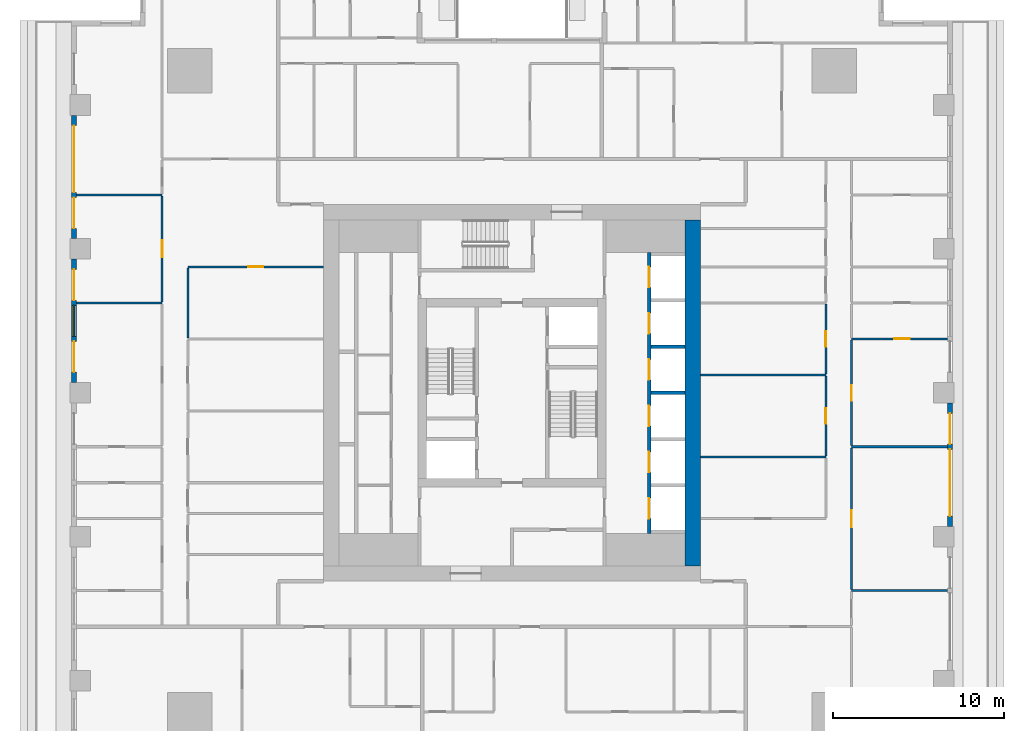
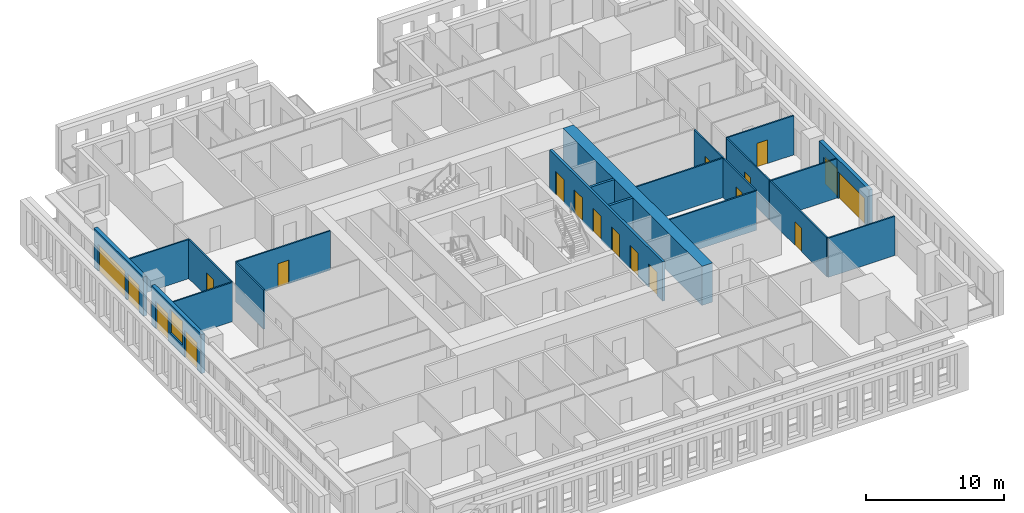
# One storey, part 6 of 16: 21 walls, 19 doors, 1 window, 20 openings.
"""IFC4 building model written with IfcOpenShell, lengths in metres."""

from ifc_helpers import new_model, si_unit, direction, frame, frame_2d, origin, place, context, subcontext, project, spatial, rectangle, extrude, material, layer, layer_set, type_object, element, fill, save


model = new_model("IFC4")

# Units and contexts
model_context = context("Model", 3, precision=1e-05, world=origin(), true_north=direction((0.0, 1.0)))
body_context = subcontext(model_context, "Body", "Model", "MODEL_VIEW")
ifc_project = project(units=[si_unit("LENGTHUNIT", "METRE"), si_unit("AREAUNIT", "SQUARE_METRE"), si_unit("VOLUMEUNIT", "CUBIC_METRE"), si_unit("PLANEANGLEUNIT", "RADIAN"), si_unit("MASSUNIT", "GRAM", prefix="KILO")], contexts=[model_context])

# Site, building, storey
site_placement = place(None, origin())
site = spatial("IfcSite", under=ifc_project, at=site_placement, CompositionType="ELEMENT")
building_placement = place(site_placement, origin())
building = spatial("IfcBuilding", under=site, at=building_placement, Name="Khepri Terraces", CompositionType="ELEMENT")
storey_placement = place(building_placement, frame((0.0, 0.0, 141.60009765625)))
storey = spatial("IfcBuildingStorey", under=building, at=storey_placement, Name="L33", CompositionType="ELEMENT", Elevation=141.60009765625)

# Wall, openings, doors
ifc_material_1 = material(Name="Concrete C60/75", Category="concrete")
ifc_layer_1 = layer(ifc_material_1, 0.199951171875, Name="Concrete C60/75", Category="concrete")
ifc_layer_set_1 = layer_set([ifc_layer_1], Name="Concrete C60/75")
wall_type_1 = type_object("IfcWallType", Name="Core wall 200 C60/75", PredefinedType="SHEAR", material=ifc_layer_set_1)
wall_1_placement = place(storey_placement, frame((8.0, -8.199951171875, 0.0), z_axis=(0.0, 0.0, 1.0), x_axis=(0.0, 1.0, 0.0)))
wall_1 = element("IfcWall", 1, at=wall_1_placement, inside=storey, type_object=wall_type_1, Name="Core wall SH02 L33", PredefinedType="SHEAR", context=body_context, shape_type="SweptSolid", body=[
    extrude(rectangle(XDim=16.39990234375, YDim=0.199951171875, at=frame_2d((8.199951171875, 0.0))), origin(), (0.0, 0.0, 1.0), 3.47998046875),
])
opening_1_placement = place(wall_1_placement, frame((0.85009765625, 0.0, 0.0)))
opening_1 = element("IfcOpeningElement", 2, at=opening_1_placement, cuts=wall_1, Name="Opening L33-C01", PredefinedType="OPENING", context=body_context, shape_type="SweptSolid", body=[
    extrude(rectangle(XDim=1.199951171875, YDim=2.10009765625, at=frame_2d((0.60009765625, 1.050048828125))), frame((0.0, 0.10986328125, 0.0), z_axis=(0.0, -1.0, 0.0), x_axis=(1.0, 0.0, 0.0)), (0.0, 0.0, 1.0), 0.219970703125),
])
opening_2_placement = place(wall_1_placement, frame((3.550048828125, 0.0, 0.0)))
opening_2 = element("IfcOpeningElement", 3, at=opening_2_placement, cuts=wall_1, Name="Opening L33-C02", PredefinedType="OPENING", context=body_context, shape_type="SweptSolid", body=[
    extrude(rectangle(XDim=1.199951171875, YDim=2.10009765625, at=frame_2d((0.60009765625, 1.050048828125))), frame((0.0, 0.10986328125, 0.0), z_axis=(0.0, -1.0, 0.0), x_axis=(1.0, 0.0, 0.0)), (0.0, 0.0, 1.0), 0.219970703125),
])
opening_3_placement = place(wall_1_placement, frame((6.25, 0.0, 0.0)))
opening_3 = element("IfcOpeningElement", 4, at=opening_3_placement, cuts=wall_1, Name="Opening L33-C03", PredefinedType="OPENING", context=body_context, shape_type="SweptSolid", body=[
    extrude(rectangle(XDim=1.199951171875, YDim=2.10009765625, at=frame_2d((0.60009765625, 1.050048828125))), frame((0.0, 0.10986328125, 0.0), z_axis=(0.0, -1.0, 0.0), x_axis=(1.0, 0.0, 0.0)), (0.0, 0.0, 1.0), 0.219970703125),
])
opening_4_placement = place(wall_1_placement, frame((8.949951171875, 0.0, 0.0)))
opening_4 = element("IfcOpeningElement", 5, at=opening_4_placement, cuts=wall_1, Name="Opening L33-C04", PredefinedType="OPENING", context=body_context, shape_type="SweptSolid", body=[
    extrude(rectangle(XDim=1.199951171875, YDim=2.10009765625, at=frame_2d((0.60009765625, 1.050048828125))), frame((0.0, 0.10986328125, 0.0), z_axis=(0.0, -1.0, 0.0), x_axis=(1.0, 0.0, 0.0)), (0.0, 0.0, 1.0), 0.219970703125),
])
opening_5_placement = place(wall_1_placement, frame((11.64990234375, 0.0, 0.0)))
opening_5 = element("IfcOpeningElement", 6, at=opening_5_placement, cuts=wall_1, Name="Opening L33-C05", PredefinedType="OPENING", context=body_context, shape_type="SweptSolid", body=[
    extrude(rectangle(XDim=1.199951171875, YDim=2.10009765625, at=frame_2d((0.60009765625, 1.050048828125))), frame((0.0, 0.10986328125, 0.0), z_axis=(0.0, -1.0, 0.0), x_axis=(1.0, 0.0, 0.0)), (0.0, 0.0, 1.0), 0.219970703125),
])
opening_6_placement = place(wall_1_placement, frame((14.35009765625, 0.0, 0.0)))
opening_6 = element("IfcOpeningElement", 7, at=opening_6_placement, cuts=wall_1, Name="Opening L33-C06", PredefinedType="OPENING", context=body_context, shape_type="SweptSolid", body=[
    extrude(rectangle(XDim=1.199951171875, YDim=2.10009765625, at=frame_2d((0.60009765625, 1.050048828125))), frame((0.0, 0.10986328125, 0.0), z_axis=(0.0, -1.0, 0.0), x_axis=(1.0, 0.0, 0.0)), (0.0, 0.0, 1.0), 0.219970703125),
])
ifc_material_2 = material(Name="Stainless steel 304", Category="steel")
door_type_1 = type_object("IfcDoorType", Name="DR-CORE-LANDING-1200", OperationType="NOTDEFINED", PredefinedType="DOOR", material=ifc_material_2)
door_1_placement = place(opening_1_placement, origin())
door_1 = element("IfcDoor", 8, at=door_1_placement, inside=storey, type_object=door_type_1, Name="Lift landing door L33-C01", OperationType="SLIDING_TO_LEFT", OverallHeight=2.10009765625, OverallWidth=1.199951171875, PredefinedType="DOOR", context=body_context, shape_type="SweptSolid", body=[
    extrude(rectangle(XDim=1.199951171875, YDim=2.10009765625, at=frame_2d((0.60009765625, 1.050048828125))), frame((0.0, 0.02490234375, 0.0), z_axis=(0.0, -1.0, 0.0), x_axis=(1.0, 0.0, 0.0)), (0.0, 0.0, 1.0), 0.050048828125),
])
fill(opening_1, door_1)
door_2_placement = place(opening_2_placement, origin())
door_2 = element("IfcDoor", 9, at=door_2_placement, inside=storey, type_object=door_type_1, Name="Lift landing door L33-C02", OperationType="SLIDING_TO_LEFT", OverallHeight=2.10009765625, OverallWidth=1.199951171875, PredefinedType="DOOR", context=body_context, shape_type="SweptSolid", body=[
    extrude(rectangle(XDim=1.199951171875, YDim=2.10009765625, at=frame_2d((0.60009765625, 1.050048828125))), frame((0.0, 0.02490234375, 0.0), z_axis=(0.0, -1.0, 0.0), x_axis=(1.0, 0.0, 0.0)), (0.0, 0.0, 1.0), 0.050048828125),
])
fill(opening_2, door_2)
door_3_placement = place(opening_3_placement, origin())
door_3 = element("IfcDoor", 10, at=door_3_placement, inside=storey, type_object=door_type_1, Name="Lift landing door L33-C03", OperationType="SLIDING_TO_LEFT", OverallHeight=2.10009765625, OverallWidth=1.199951171875, PredefinedType="DOOR", context=body_context, shape_type="SweptSolid", body=[
    extrude(rectangle(XDim=1.199951171875, YDim=2.10009765625, at=frame_2d((0.60009765625, 1.050048828125))), frame((0.0, 0.02490234375, 0.0), z_axis=(0.0, -1.0, 0.0), x_axis=(1.0, 0.0, 0.0)), (0.0, 0.0, 1.0), 0.050048828125),
])
fill(opening_3, door_3)
door_4_placement = place(opening_4_placement, origin())
door_4 = element("IfcDoor", 11, at=door_4_placement, inside=storey, type_object=door_type_1, Name="Lift landing door L33-C04", OperationType="SLIDING_TO_LEFT", OverallHeight=2.10009765625, OverallWidth=1.199951171875, PredefinedType="DOOR", context=body_context, shape_type="SweptSolid", body=[
    extrude(rectangle(XDim=1.199951171875, YDim=2.10009765625, at=frame_2d((0.60009765625, 1.050048828125))), frame((0.0, 0.02490234375, 0.0), z_axis=(0.0, -1.0, 0.0), x_axis=(1.0, 0.0, 0.0)), (0.0, 0.0, 1.0), 0.050048828125),
])
fill(opening_4, door_4)
door_5_placement = place(opening_5_placement, origin())
door_5 = element("IfcDoor", 12, at=door_5_placement, inside=storey, type_object=door_type_1, Name="Lift landing door L33-C05", OperationType="SLIDING_TO_LEFT", OverallHeight=2.10009765625, OverallWidth=1.199951171875, PredefinedType="DOOR", context=body_context, shape_type="SweptSolid", body=[
    extrude(rectangle(XDim=1.199951171875, YDim=2.10009765625, at=frame_2d((0.60009765625, 1.050048828125))), frame((0.0, 0.02490234375, 0.0), z_axis=(0.0, -1.0, 0.0), x_axis=(1.0, 0.0, 0.0)), (0.0, 0.0, 1.0), 0.050048828125),
])
fill(opening_5, door_5)
door_6_placement = place(opening_6_placement, origin())
door_6 = element("IfcDoor", 13, at=door_6_placement, inside=storey, type_object=door_type_1, Name="Lift landing door L33-C06", OperationType="SLIDING_TO_LEFT", OverallHeight=2.10009765625, OverallWidth=1.199951171875, PredefinedType="DOOR", context=body_context, shape_type="SweptSolid", body=[
    extrude(rectangle(XDim=1.199951171875, YDim=2.10009765625, at=frame_2d((0.60009765625, 1.050048828125))), frame((0.0, 0.02490234375, 0.0), z_axis=(0.0, -1.0, 0.0), x_axis=(1.0, 0.0, 0.0)), (0.0, 0.0, 1.0), 0.050048828125),
])
fill(opening_6, door_6)

# Walls
for number, where, z_axis, x_axis, name in (
    (14, (8.10009765625, 0.0, 0.0), (0.0, 0.0, 1.0), (1.0, 0.0, 0.0), "Core wall SH09 L33"),
    (15, (8.10009765625, 2.699951171875, 0.0), (0.0, 0.0, 1.0), (1.0, 0.0, 0.0), "Core wall SH13 L33"),
):
    element("IfcWall", number, at=place(storey_placement, frame(where, z_axis=z_axis, x_axis=x_axis)), inside=storey, type_object=wall_type_1, Name=name, PredefinedType="SHEAR", context=body_context, shape_type="SweptSolid", body=[
        extrude(rectangle(XDim=2.0, YDim=0.199951171875, at=frame_2d((1.0, 0.0))), origin(), (0.0, 0.0, 1.0), 3.47998046875),
    ])
ifc_layer_2 = layer(ifc_material_1, 0.89990234375, Name="Concrete C60/75", Category="concrete")
ifc_layer_set_2 = layer_set([ifc_layer_2], Name="Concrete C60/75")
wall_type_2 = type_object("IfcWallType", Name="Core wall 900 C60/75", PredefinedType="SHEAR", material=ifc_layer_set_2)
wall_2_placement = place(storey_placement, frame((10.550048828125, -10.10009765625, 0.0), z_axis=(0.0, 0.0, 1.0), x_axis=(0.0, 1.0, 0.0)))
element("IfcWall", 16, at=wall_2_placement, inside=storey, type_object=wall_type_2, Name="Core wall OW-E L33", PredefinedType="SHEAR", context=body_context, shape_type="SweptSolid", body=[
    extrude(rectangle(XDim=20.2001953125, YDim=0.89990234375, at=frame_2d((10.10009765625, 0.0))), origin(), (0.0, 0.0, 1.0), 3.47998046875),
])

# Wall, openings, doors
ifc_material_3 = material(Name="Precast concrete C50/60 warm stone", Category="masonry")
ifc_layer_3 = layer(ifc_material_3, 0.300048828125, Name="Precast concrete C50/60 warm stone", Category="masonry")
ifc_layer_set_3 = layer_set([ifc_layer_3], Name="Precast concrete C50/60 warm stone")
wall_type_3 = type_object("IfcWallType", Name="WL-EXT-PRECAST-300", PredefinedType="STANDARD", material=ifc_layer_set_3)
wall_3_placement = place(storey_placement, frame((25.570068359375, -7.800048828125, 0.0), z_axis=(0.0, 0.0, 1.0), x_axis=(0.0, 1.0, 0.0)))
wall_3 = element("IfcWall", 17, at=wall_3_placement, inside=storey, type_object=wall_type_3, Name="External wall L33 E", PredefinedType="STANDARD", context=body_context, shape_type="SweptSolid", body=[
    extrude(rectangle(XDim=7.199951171875, YDim=0.300048828125, at=frame_2d((3.60009765625, 0.0))), origin(), (0.0, 0.0, 1.0), 3.47998046875),
])
opening_7_placement = place(wall_3_placement, frame((0.60009765625, 0.0, 0.0)))
opening_7 = element("IfcOpeningElement", 18, at=opening_7_placement, cuts=wall_3, Name="Opening ED-L33-04", PredefinedType="OPENING", context=body_context, shape_type="SweptSolid", body=[
    extrude(rectangle(XDim=3.89990234375, YDim=2.39990234375, at=frame_2d((1.949951171875, 1.199951171875))), frame((0.0, 0.16015625, 0.0), z_axis=(0.0, -1.0, 0.0), x_axis=(1.0, 0.0, 0.0)), (0.0, 0.0, 1.0), 0.320068359375),
])
opening_8_placement = place(wall_3_placement, frame((4.800048828125, 0.0, 0.0)))
opening_8 = element("IfcOpeningElement", 19, at=opening_8_placement, cuts=wall_3, Name="Opening ED-L33-05", PredefinedType="OPENING", context=body_context, shape_type="SweptSolid", body=[
    extrude(rectangle(XDim=1.800048828125, YDim=2.39990234375, at=frame_2d((0.89990234375, 1.199951171875))), frame((0.0, 0.16015625, 0.0), z_axis=(0.0, -1.0, 0.0), x_axis=(1.0, 0.0, 0.0)), (0.0, 0.0, 1.0), 0.320068359375),
])
ifc_material_4 = material(Name="Anodised aluminium bronze glazed door", Category="aluminium")
door_type_2 = type_object("IfcDoorType", Name="DR-BAL-SLIDE-1800x2400", OperationType="NOTDEFINED", PredefinedType="DOOR", material=ifc_material_4)
door_7_placement = place(opening_8_placement, origin())
door_7 = element("IfcDoor", 20, at=door_7_placement, inside=storey, type_object=door_type_2, Name="Balcony door L33 E", OperationType="SLIDING_TO_RIGHT", OverallHeight=2.39990234375, OverallWidth=1.800048828125, PredefinedType="DOOR", context=body_context, shape_type="SweptSolid", body=[
    extrude(rectangle(XDim=1.800048828125, YDim=2.39990234375, at=frame_2d((0.89990234375, 1.199951171875))), frame((0.0, 0.02490234375, 0.0), z_axis=(0.0, -1.0, 0.0), x_axis=(1.0, 0.0, 0.0)), (0.0, 0.0, 1.0), 0.050048828125),
])
fill(opening_8, door_7)
door_type_3 = type_object("IfcDoorType", Name="DR-BAL-SLIDE-3900x2400", OperationType="NOTDEFINED", PredefinedType="DOOR", material=ifc_material_4)
door_8_placement = place(opening_7_placement, origin())
door_8 = element("IfcDoor", 21, at=door_8_placement, inside=storey, type_object=door_type_3, Name="Balcony door L33 E", OperationType="SLIDING_TO_LEFT", OverallHeight=2.39990234375, OverallWidth=3.89990234375, PredefinedType="DOOR", context=body_context, shape_type="SweptSolid", body=[
    extrude(rectangle(XDim=3.89990234375, YDim=2.39990234375, at=frame_2d((1.949951171875, 1.199951171875))), frame((0.0, 0.02490234375, 0.0), z_axis=(0.0, -1.0, 0.0), x_axis=(1.0, 0.0, 0.0)), (0.0, 0.0, 1.0), 0.050048828125),
])
fill(opening_7, door_8)

wall_4_placement = place(storey_placement, frame((-25.570068359375, 16.199951171875, 0.0), z_axis=(0.0, 0.0, 1.0), x_axis=(0.0, -1.0, 0.0)))
wall_4 = element("IfcWall", 22, at=wall_4_placement, inside=storey, type_object=wall_type_3, Name="External wall L33 W", PredefinedType="STANDARD", context=body_context, shape_type="SweptSolid", body=[
    extrude(rectangle(XDim=7.199951171875, YDim=0.300048828125, at=frame_2d((3.60009765625, 0.0))), origin(), (0.0, 0.0, 1.0), 3.47998046875),
])
opening_9_placement = place(wall_4_placement, frame((0.60009765625, 0.0, 0.0)))
opening_9 = element("IfcOpeningElement", 23, at=opening_9_placement, cuts=wall_4, Name="Opening ED-L33-14", PredefinedType="OPENING", context=body_context, shape_type="SweptSolid", body=[
    extrude(rectangle(XDim=3.89990234375, YDim=2.39990234375, at=frame_2d((1.949951171875, 1.199951171875))), frame((0.0, 0.16015625, 0.0), z_axis=(0.0, -1.0, 0.0), x_axis=(1.0, 0.0, 0.0)), (0.0, 0.0, 1.0), 0.320068359375),
])
opening_10_placement = place(wall_4_placement, frame((4.800048828125, 0.0, 0.0)))
opening_10 = element("IfcOpeningElement", 24, at=opening_10_placement, cuts=wall_4, Name="Opening ED-L33-15", PredefinedType="OPENING", context=body_context, shape_type="SweptSolid", body=[
    extrude(rectangle(XDim=1.800048828125, YDim=2.39990234375, at=frame_2d((0.89990234375, 1.199951171875))), frame((0.0, 0.16015625, 0.0), z_axis=(0.0, -1.0, 0.0), x_axis=(1.0, 0.0, 0.0)), (0.0, 0.0, 1.0), 0.320068359375),
])
door_9_placement = place(opening_10_placement, origin())
door_9 = element("IfcDoor", 25, at=door_9_placement, inside=storey, type_object=door_type_2, Name="Balcony door L33 W", OperationType="SLIDING_TO_RIGHT", OverallHeight=2.39990234375, OverallWidth=1.800048828125, PredefinedType="DOOR", context=body_context, shape_type="SweptSolid", body=[
    extrude(rectangle(XDim=1.800048828125, YDim=2.39990234375, at=frame_2d((0.89990234375, 1.199951171875))), frame((0.0, 0.02490234375, 0.0), z_axis=(0.0, -1.0, 0.0), x_axis=(1.0, 0.0, 0.0)), (0.0, 0.0, 1.0), 0.050048828125),
])
fill(opening_10, door_9)
door_10_placement = place(opening_9_placement, origin())
door_10 = element("IfcDoor", 26, at=door_10_placement, inside=storey, type_object=door_type_3, Name="Balcony door L33 W", OperationType="SLIDING_TO_LEFT", OverallHeight=2.39990234375, OverallWidth=3.89990234375, PredefinedType="DOOR", context=body_context, shape_type="SweptSolid", body=[
    extrude(rectangle(XDim=3.89990234375, YDim=2.39990234375, at=frame_2d((1.949951171875, 1.199951171875))), frame((0.0, 0.02490234375, 0.0), z_axis=(0.0, -1.0, 0.0), x_axis=(1.0, 0.0, 0.0)), (0.0, 0.0, 1.0), 0.050048828125),
])
fill(opening_9, door_10)

# Wall, openings, doors, window
wall_5_placement = place(storey_placement, frame((-25.570068359375, 7.800048828125, 0.0), z_axis=(0.0, 0.0, 1.0), x_axis=(0.0, -1.0, 0.0)))
wall_5 = element("IfcWall", 27, at=wall_5_placement, inside=storey, type_object=wall_type_3, Name="External wall L33 W", PredefinedType="STANDARD", context=body_context, shape_type="SweptSolid", body=[
    extrude(rectangle(XDim=7.199951171875, YDim=0.300048828125, at=frame_2d((3.60009765625, 0.0))), origin(), (0.0, 0.0, 1.0), 3.47998046875),
])
opening_11_placement = place(wall_5_placement, frame((0.60009765625, 0.0, 0.0)))
opening_11 = element("IfcOpeningElement", 28, at=opening_11_placement, cuts=wall_5, Name="Opening ED-L33-16", PredefinedType="OPENING", context=body_context, shape_type="SweptSolid", body=[
    extrude(rectangle(XDim=1.800048828125, YDim=2.39990234375, at=frame_2d((0.89990234375, 1.199951171875))), frame((0.0, 0.16015625, 0.0), z_axis=(0.0, -1.0, 0.0), x_axis=(1.0, 0.0, 0.0)), (0.0, 0.0, 1.0), 0.320068359375),
])
opening_12_placement = place(wall_5_placement, frame((2.699951171875, 0.0, 0.89990234375)))
opening_12 = element("IfcOpeningElement", 29, at=opening_12_placement, cuts=wall_5, Name="Opening W1", PredefinedType="OPENING", context=body_context, shape_type="SweptSolid", body=[
    extrude(rectangle(XDim=1.800048828125, YDim=2.10009765625, at=frame_2d((0.89990234375, 1.050048828125))), frame((0.0, 0.16015625, 0.0), z_axis=(0.0, -1.0, 0.0), x_axis=(1.0, 0.0, 0.0)), (0.0, 0.0, 1.0), 0.320068359375),
])
opening_13_placement = place(wall_5_placement, frame((4.800048828125, 0.0, 0.0)))
opening_13 = element("IfcOpeningElement", 30, at=opening_13_placement, cuts=wall_5, Name="Opening ED-L33-17", PredefinedType="OPENING", context=body_context, shape_type="SweptSolid", body=[
    extrude(rectangle(XDim=1.800048828125, YDim=2.39990234375, at=frame_2d((0.89990234375, 1.199951171875))), frame((0.0, 0.16015625, 0.0), z_axis=(0.0, -1.0, 0.0), x_axis=(1.0, 0.0, 0.0)), (0.0, 0.0, 1.0), 0.320068359375),
])
door_11_placement = place(opening_11_placement, origin())
door_11 = element("IfcDoor", 31, at=door_11_placement, inside=storey, type_object=door_type_2, Name="Balcony door L33 W", OperationType="SLIDING_TO_LEFT", OverallHeight=2.39990234375, OverallWidth=1.800048828125, PredefinedType="DOOR", context=body_context, shape_type="SweptSolid", body=[
    extrude(rectangle(XDim=1.800048828125, YDim=2.39990234375, at=frame_2d((0.89990234375, 1.199951171875))), frame((0.0, 0.02490234375, 0.0), z_axis=(0.0, -1.0, 0.0), x_axis=(1.0, 0.0, 0.0)), (0.0, 0.0, 1.0), 0.050048828125),
])
fill(opening_11, door_11)
door_12_placement = place(opening_13_placement, origin())
door_12 = element("IfcDoor", 32, at=door_12_placement, inside=storey, type_object=door_type_2, Name="Balcony door L33 W", OperationType="SLIDING_TO_RIGHT", OverallHeight=2.39990234375, OverallWidth=1.800048828125, PredefinedType="DOOR", context=body_context, shape_type="SweptSolid", body=[
    extrude(rectangle(XDim=1.800048828125, YDim=2.39990234375, at=frame_2d((0.89990234375, 1.199951171875))), frame((0.0, 0.02490234375, 0.0), z_axis=(0.0, -1.0, 0.0), x_axis=(1.0, 0.0, 0.0)), (0.0, 0.0, 1.0), 0.050048828125),
])
fill(opening_13, door_12)
ifc_material_5 = material(Name="Clear glass", Category="glass")
window_type = type_object("IfcWindowType", Name="WIN-RES-1800x2100", PartitioningType="SINGLE_PANEL", PredefinedType="WINDOW", material=ifc_material_5)
window_placement = place(opening_12_placement, origin())
window = element("IfcWindow", 33, at=window_placement, inside=storey, type_object=window_type, Name="Window L33 W", OverallHeight=2.10009765625, OverallWidth=1.800048828125, PartitioningType="SINGLE_PANEL", PredefinedType="WINDOW", context=body_context, shape_type="SweptSolid", body=[
    extrude(rectangle(XDim=1.800048828125, YDim=2.10009765625, at=frame_2d((0.89990234375, 1.050048828125))), frame((0.0, 0.030029296875, 0.0), z_axis=(0.0, -1.0, 0.0), x_axis=(1.0, 0.0, 0.0)), (0.0, 0.0, 1.0), 0.06005859375),
])
fill(opening_12, window)

# Wall
ifc_material_6 = material(Name="Gypsum plasterboard partition")
ifc_layer_4 = layer(ifc_material_6, 0.1201171875, Name="Gypsum plasterboard partition")
ifc_layer_set_4 = layer_set([ifc_layer_4], Name="Gypsum plasterboard partition")
wall_type_4 = type_object("IfcWallType", Name="WL-PART-120", PredefinedType="PARTITIONING", material=ifc_layer_set_4)
wall_6_placement = place(storey_placement, frame((19.820068359375, -11.550048828125, 0.0), z_axis=(0.0, 0.0, 1.0), x_axis=(1.0, 0.0, 0.0)))
element("IfcWall", 34, at=wall_6_placement, inside=storey, type_object=wall_type_4, Name="Partition P-034 L33", PredefinedType="PARTITIONING", context=body_context, shape_type="SweptSolid", body=[
    extrude(rectangle(XDim=5.599853515625, YDim=0.1201171875, at=frame_2d((2.7998046875, 0.0))), origin(), (0.0, 0.0, 1.0), 3.47998046875),
])

# Wall, opening, door
wall_7_placement = place(storey_placement, frame((19.820068359375, -11.489990234375, 0.0), z_axis=(0.0, 0.0, 1.0), x_axis=(0.0, 1.0, 0.0)))
wall_7 = element("IfcWall", 35, at=wall_7_placement, inside=storey, type_object=wall_type_4, Name="Partition P-036 L33", PredefinedType="PARTITIONING", context=body_context, shape_type="SweptSolid", body=[
    extrude(rectangle(XDim=8.280029296875, YDim=0.1201171875, at=frame_2d((4.14013671875, 0.0))), origin(), (0.0, 0.0, 1.0), 3.47998046875),
])
opening_14_placement = place(wall_7_placement, frame((3.639892578125, 0.0, 0.0)))
opening_14 = element("IfcOpeningElement", 36, at=opening_14_placement, cuts=wall_7, Name="Opening D2", PredefinedType="OPENING", context=body_context, shape_type="SweptSolid", body=[
    extrude(rectangle(XDim=1.0, YDim=2.10009765625, at=frame_2d((0.5, 1.050048828125))), frame((0.0, 0.070068359375, 0.0), z_axis=(0.0, -1.0, 0.0), x_axis=(1.0, 0.0, 0.0)), (0.0, 0.0, 1.0), 0.14013671875),
])
ifc_material_7 = material(Name="Timber door leaf, living room door", Category="wood")
door_type_4 = type_object("IfcDoorType", Name="DR-INT-1000", OperationType="NOTDEFINED", PredefinedType="DOOR", material=ifc_material_7)
door_13_placement = place(opening_14_placement, frame((1.0, 0.0, 0.0), z_axis=(0.0, 0.0, 1.0), x_axis=(-1.0, 0.0, 0.0)))
door_13 = element("IfcDoor", 37, at=door_13_placement, inside=storey, type_object=door_type_4, Name="Door Family Room", OperationType="SINGLE_SWING_RIGHT", OverallHeight=2.10009765625, OverallWidth=1.0, PredefinedType="DOOR", context=body_context, shape_type="SweptSolid", body=[
    extrude(rectangle(XDim=1.0, YDim=2.10009765625, at=frame_2d((0.5, 1.050048828125))), frame((0.0, 0.02490234375, 0.0), z_axis=(0.0, -1.0, 0.0), x_axis=(1.0, 0.0, 0.0)), (0.0, 0.0, 1.0), 0.050048828125),
])
fill(opening_14, door_13)

# Wall
wall_8_placement = place(storey_placement, frame((11.0, -3.75, 0.0), z_axis=(0.0, 0.0, 1.0), x_axis=(1.0, 0.0, 0.0)))
element("IfcWall", 38, at=wall_8_placement, inside=storey, type_object=wall_type_4, Name="Partition P-051 L33", PredefinedType="PARTITIONING", context=body_context, shape_type="SweptSolid", body=[
    extrude(rectangle(XDim=7.320068359375, YDim=0.1201171875, at=frame_2d((3.66015625, 0.0))), origin(), (0.0, 0.0, 1.0), 3.47998046875),
])

# Wall, opening, door
wall_9_placement = place(storey_placement, frame((18.320068359375, -3.68994140625, 0.0), z_axis=(0.0, 0.0, 1.0), x_axis=(0.0, 1.0, 0.0)))
wall_9 = element("IfcWall", 39, at=wall_9_placement, inside=storey, type_object=wall_type_4, Name="Partition P-052 L33", PredefinedType="PARTITIONING", context=body_context, shape_type="SweptSolid", body=[
    extrude(rectangle(XDim=4.679931640625, YDim=0.1201171875, at=frame_2d((2.33984375, 0.0))), origin(), (0.0, 0.0, 1.0), 3.47998046875),
])
opening_15_placement = place(wall_9_placement, frame((1.889892578125, 0.0, 0.0)))
opening_15 = element("IfcOpeningElement", 40, at=opening_15_placement, cuts=wall_9, Name="Opening D3", PredefinedType="OPENING", context=body_context, shape_type="SweptSolid", body=[
    extrude(rectangle(XDim=0.89990234375, YDim=2.10009765625, at=frame_2d((0.449951171875, 1.050048828125))), frame((0.0, 0.070068359375, 0.0), z_axis=(0.0, -1.0, 0.0), x_axis=(1.0, 0.0, 0.0)), (0.0, 0.0, 1.0), 0.14013671875),
])
ifc_material_8 = material(Name="Timber door leaf", Category="wood")
door_type_5 = type_object("IfcDoorType", Name="DR-INT-900", OperationType="NOTDEFINED", PredefinedType="DOOR", material=ifc_material_8)
door_14_placement = place(opening_15_placement, origin())
door_14 = element("IfcDoor", 41, at=door_14_placement, inside=storey, type_object=door_type_5, Name="Door Service Kitchen", OperationType="SINGLE_SWING_RIGHT", OverallHeight=2.10009765625, OverallWidth=0.89990234375, PredefinedType="DOOR", context=body_context, shape_type="SweptSolid", body=[
    extrude(rectangle(XDim=0.89990234375, YDim=2.10009765625, at=frame_2d((0.449951171875, 1.050048828125))), frame((0.0, 0.02490234375, 0.0), z_axis=(0.0, -1.0, 0.0), x_axis=(1.0, 0.0, 0.0)), (0.0, 0.0, 1.0), 0.050048828125),
])
fill(opening_15, door_14)

# Wall
wall_10_placement = place(storey_placement, frame((19.820068359375, -3.14990234375, 0.0), z_axis=(0.0, 0.0, 1.0), x_axis=(1.0, 0.0, 0.0)))
element("IfcWall", 42, at=wall_10_placement, inside=storey, type_object=wall_type_4, Name="Partition P-054 L33", PredefinedType="PARTITIONING", context=body_context, shape_type="SweptSolid", body=[
    extrude(rectangle(XDim=5.599853515625, YDim=0.1201171875, at=frame_2d((2.7998046875, 0.0))), origin(), (0.0, 0.0, 1.0), 3.47998046875),
])

# Wall, opening, door
wall_11_placement = place(storey_placement, frame((19.820068359375, -3.090087890625, 0.0), z_axis=(0.0, 0.0, 1.0), x_axis=(0.0, 1.0, 0.0)))
wall_11 = element("IfcWall", 43, at=wall_11_placement, inside=storey, type_object=wall_type_4, Name="Partition P-056 L33", PredefinedType="PARTITIONING", context=body_context, shape_type="SweptSolid", body=[
    extrude(rectangle(XDim=6.18017578125, YDim=0.1201171875, at=frame_2d((3.090087890625, 0.0))), origin(), (0.0, 0.0, 1.0), 3.47998046875),
])
opening_16_placement = place(wall_11_placement, frame((2.639892578125, 0.0, 0.0)))
opening_16 = element("IfcOpeningElement", 44, at=opening_16_placement, cuts=wall_11, Name="Opening D3", PredefinedType="OPENING", context=body_context, shape_type="SweptSolid", body=[
    extrude(rectangle(XDim=0.89990234375, YDim=2.10009765625, at=frame_2d((0.449951171875, 1.050048828125))), frame((0.0, 0.070068359375, 0.0), z_axis=(0.0, -1.0, 0.0), x_axis=(1.0, 0.0, 0.0)), (0.0, 0.0, 1.0), 0.14013671875),
])
door_15_placement = place(opening_16_placement, frame((0.89990234375, 0.0, 0.0), z_axis=(0.0, 0.0, 1.0), x_axis=(-1.0, 0.0, 0.0)))
door_15 = element("IfcDoor", 45, at=door_15_placement, inside=storey, type_object=door_type_5, Name="Door Master Bedroom", OperationType="SINGLE_SWING_LEFT", OverallHeight=2.10009765625, OverallWidth=0.89990234375, PredefinedType="DOOR", context=body_context, shape_type="SweptSolid", body=[
    extrude(rectangle(XDim=0.89990234375, YDim=2.10009765625, at=frame_2d((0.449951171875, 1.050048828125))), frame((0.0, 0.02490234375, 0.0), z_axis=(0.0, -1.0, 0.0), x_axis=(1.0, 0.0, 0.0)), (0.0, 0.0, 1.0), 0.050048828125),
])
fill(opening_16, door_15)

# Wall
wall_12_placement = place(storey_placement, frame((11.0, 1.050048828125, 0.0), z_axis=(0.0, 0.0, 1.0), x_axis=(1.0, 0.0, 0.0)))
element("IfcWall", 46, at=wall_12_placement, inside=storey, type_object=wall_type_4, Name="Partition P-059 L33", PredefinedType="PARTITIONING", context=body_context, shape_type="SweptSolid", body=[
    extrude(rectangle(XDim=7.320068359375, YDim=0.1201171875, at=frame_2d((3.66015625, 0.0))), origin(), (0.0, 0.0, 1.0), 3.47998046875),
])

# Wall, opening, door
wall_13_placement = place(storey_placement, frame((18.320068359375, 1.110107421875, 0.0), z_axis=(0.0, 0.0, 1.0), x_axis=(0.0, 1.0, 0.0)))
wall_13 = element("IfcWall", 47, at=wall_13_placement, inside=storey, type_object=wall_type_4, Name="Partition P-060 L33", PredefinedType="PARTITIONING", context=body_context, shape_type="SweptSolid", body=[
    extrude(rectangle(XDim=4.079833984375, YDim=0.1201171875, at=frame_2d((2.0400390625, 0.0))), origin(), (0.0, 0.0, 1.0), 3.47998046875),
])
opening_17_placement = place(wall_13_placement, frame((1.590087890625, 0.0, 0.0)))
opening_17 = element("IfcOpeningElement", 48, at=opening_17_placement, cuts=wall_13, Name="Opening D3", PredefinedType="OPENING", context=body_context, shape_type="SweptSolid", body=[
    extrude(rectangle(XDim=0.89990234375, YDim=2.10009765625, at=frame_2d((0.449951171875, 1.050048828125))), frame((0.0, 0.070068359375, 0.0), z_axis=(0.0, -1.0, 0.0), x_axis=(1.0, 0.0, 0.0)), (0.0, 0.0, 1.0), 0.14013671875),
])
door_16_placement = place(opening_17_placement, origin())
door_16 = element("IfcDoor", 49, at=door_16_placement, inside=storey, type_object=door_type_5, Name="Door Staff Bedroom", OperationType="SINGLE_SWING_RIGHT", OverallHeight=2.10009765625, OverallWidth=0.89990234375, PredefinedType="DOOR", context=body_context, shape_type="SweptSolid", body=[
    extrude(rectangle(XDim=0.89990234375, YDim=2.10009765625, at=frame_2d((0.449951171875, 1.050048828125))), frame((0.0, 0.02490234375, 0.0), z_axis=(0.0, -1.0, 0.0), x_axis=(1.0, 0.0, 0.0)), (0.0, 0.0, 1.0), 0.050048828125),
])
fill(opening_17, door_16)

wall_14_placement = place(storey_placement, frame((19.820068359375, 3.14990234375, 0.0), z_axis=(0.0, 0.0, 1.0), x_axis=(1.0, 0.0, 0.0)))
wall_14 = element("IfcWall", 50, at=wall_14_placement, inside=storey, type_object=wall_type_4, Name="Partition P-062 L33", PredefinedType="PARTITIONING", context=body_context, shape_type="SweptSolid", body=[
    extrude(rectangle(XDim=5.599853515625, YDim=0.1201171875, at=frame_2d((2.7998046875, 0.0))), origin(), (0.0, 0.0, 1.0), 3.47998046875),
])
opening_18_placement = place(wall_14_placement, frame((2.5, 0.0, 0.0)))
opening_18 = element("IfcOpeningElement", 51, at=opening_18_placement, cuts=wall_14, Name="Opening D3", PredefinedType="OPENING", context=body_context, shape_type="SweptSolid", body=[
    extrude(rectangle(XDim=0.89990234375, YDim=2.10009765625, at=frame_2d((0.449951171875, 1.050048828125))), frame((0.0, 0.070068359375, 0.0), z_axis=(0.0, -1.0, 0.0), x_axis=(1.0, 0.0, 0.0)), (0.0, 0.0, 1.0), 0.14013671875),
])
door_17_placement = place(opening_18_placement, origin())
door_17 = element("IfcDoor", 52, at=door_17_placement, inside=storey, type_object=door_type_5, Name="Door Dressing Room", OperationType="SINGLE_SWING_RIGHT", OverallHeight=2.10009765625, OverallWidth=0.89990234375, PredefinedType="DOOR", context=body_context, shape_type="SweptSolid", body=[
    extrude(rectangle(XDim=0.89990234375, YDim=2.10009765625, at=frame_2d((0.449951171875, 1.050048828125))), frame((0.0, 0.02490234375, 0.0), z_axis=(0.0, -1.0, 0.0), x_axis=(1.0, 0.0, 0.0)), (0.0, 0.0, 1.0), 0.050048828125),
])
fill(opening_18, door_17)

# Walls
wall_15_placement = place(storey_placement, frame((-18.919921875, 3.2099609375, 0.0), z_axis=(0.0, 0.0, 1.0), x_axis=(0.0, 1.0, 0.0)))
element("IfcWall", 53, at=wall_15_placement, inside=storey, type_object=wall_type_4, Name="Partition P-063 L33", PredefinedType="PARTITIONING", context=body_context, shape_type="SweptSolid", body=[
    extrude(rectangle(XDim=4.080078125, YDim=0.1201171875, at=frame_2d((2.0400390625, 0.0))), origin(), (0.0, 0.0, 1.0), 3.47998046875),
])
wall_16_placement = place(storey_placement, frame((-25.419921875, 5.25, 0.0), z_axis=(0.0, 0.0, 1.0), x_axis=(1.0, 0.0, 0.0)))
element("IfcWall", 54, at=wall_16_placement, inside=storey, type_object=wall_type_4, Name="Partition P-065 L33", PredefinedType="PARTITIONING", context=body_context, shape_type="SweptSolid", body=[
    extrude(rectangle(XDim=5.0, YDim=0.1201171875, at=frame_2d((2.5, 0.0))), origin(), (0.0, 0.0, 1.0), 3.47998046875),
])

# Wall, opening, door
wall_17_placement = place(storey_placement, frame((-20.419921875, 5.31005859375, 0.0), z_axis=(0.0, 0.0, 1.0), x_axis=(0.0, 1.0, 0.0)))
wall_17 = element("IfcWall", 55, at=wall_17_placement, inside=storey, type_object=wall_type_4, Name="Partition P-068 L33", PredefinedType="PARTITIONING", context=body_context, shape_type="SweptSolid", body=[
    extrude(rectangle(XDim=6.179931640625, YDim=0.1201171875, at=frame_2d((3.08984375, 0.0))), origin(), (0.0, 0.0, 1.0), 3.47998046875),
])
opening_19_placement = place(wall_17_placement, frame((2.590087890625, 0.0, 0.0)))
opening_19 = element("IfcOpeningElement", 56, at=opening_19_placement, cuts=wall_17, Name="Opening D2", PredefinedType="OPENING", context=body_context, shape_type="SweptSolid", body=[
    extrude(rectangle(XDim=1.0, YDim=2.10009765625, at=frame_2d((0.5, 1.050048828125))), frame((0.0, 0.070068359375, 0.0), z_axis=(0.0, -1.0, 0.0), x_axis=(1.0, 0.0, 0.0)), (0.0, 0.0, 1.0), 0.14013671875),
])
door_18_placement = place(opening_19_placement, origin())
door_18 = element("IfcDoor", 57, at=door_18_placement, inside=storey, type_object=door_type_4, Name="Door Family Room", OperationType="SINGLE_SWING_RIGHT", OverallHeight=2.10009765625, OverallWidth=1.0, PredefinedType="DOOR", context=body_context, shape_type="SweptSolid", body=[
    extrude(rectangle(XDim=1.0, YDim=2.10009765625, at=frame_2d((0.5, 1.050048828125))), frame((0.0, 0.02490234375, 0.0), z_axis=(0.0, -1.0, 0.0), x_axis=(1.0, 0.0, 0.0)), (0.0, 0.0, 1.0), 0.050048828125),
])
fill(opening_19, door_18)

wall_18_placement = place(storey_placement, frame((-18.919921875, 7.35009765625, 0.0), z_axis=(0.0, 0.0, 1.0), x_axis=(1.0, 0.0, 0.0)))
wall_18 = element("IfcWall", 58, at=wall_18_placement, inside=storey, type_object=wall_type_4, Name="Partition P-071 L33", PredefinedType="PARTITIONING", context=body_context, shape_type="SweptSolid", body=[
    extrude(rectangle(XDim=7.919921875, YDim=0.1201171875, at=frame_2d((3.9599609375, 0.0))), origin(), (0.0, 0.0, 1.0), 3.47998046875),
])
opening_20_placement = place(wall_18_placement, frame((3.510009765625, 0.0, 0.0)))
opening_20 = element("IfcOpeningElement", 59, at=opening_20_placement, cuts=wall_18, Name="Opening D3", PredefinedType="OPENING", context=body_context, shape_type="SweptSolid", body=[
    extrude(rectangle(XDim=0.89990234375, YDim=2.10009765625, at=frame_2d((0.449951171875, 1.050048828125))), frame((0.0, 0.070068359375, 0.0), z_axis=(0.0, -1.0, 0.0), x_axis=(1.0, 0.0, 0.0)), (0.0, 0.0, 1.0), 0.14013671875),
])
door_19_placement = place(opening_20_placement, frame((0.89990234375, 0.0, 0.0), z_axis=(0.0, 0.0, 1.0), x_axis=(-1.0, 0.0, 0.0)))
door_19 = element("IfcDoor", 60, at=door_19_placement, inside=storey, type_object=door_type_5, Name="Door Kitchen", OperationType="SINGLE_SWING_LEFT", OverallHeight=2.10009765625, OverallWidth=0.89990234375, PredefinedType="DOOR", context=body_context, shape_type="SweptSolid", body=[
    extrude(rectangle(XDim=0.89990234375, YDim=2.10009765625, at=frame_2d((0.449951171875, 1.050048828125))), frame((0.0, 0.02490234375, 0.0), z_axis=(0.0, -1.0, 0.0), x_axis=(1.0, 0.0, 0.0)), (0.0, 0.0, 1.0), 0.050048828125),
])
fill(opening_20, door_19)

# Wall
wall_19_placement = place(storey_placement, frame((-25.419921875, 11.550048828125, 0.0), z_axis=(0.0, 0.0, 1.0), x_axis=(1.0, 0.0, 0.0)))
element("IfcWall", 61, at=wall_19_placement, inside=storey, type_object=wall_type_4, Name="Partition P-082 L33", PredefinedType="PARTITIONING", context=body_context, shape_type="SweptSolid", body=[
    extrude(rectangle(XDim=5.0, YDim=0.1201171875, at=frame_2d((2.5, 0.0))), origin(), (0.0, 0.0, 1.0), 3.47998046875),
])

save(model, "model.ifc")
